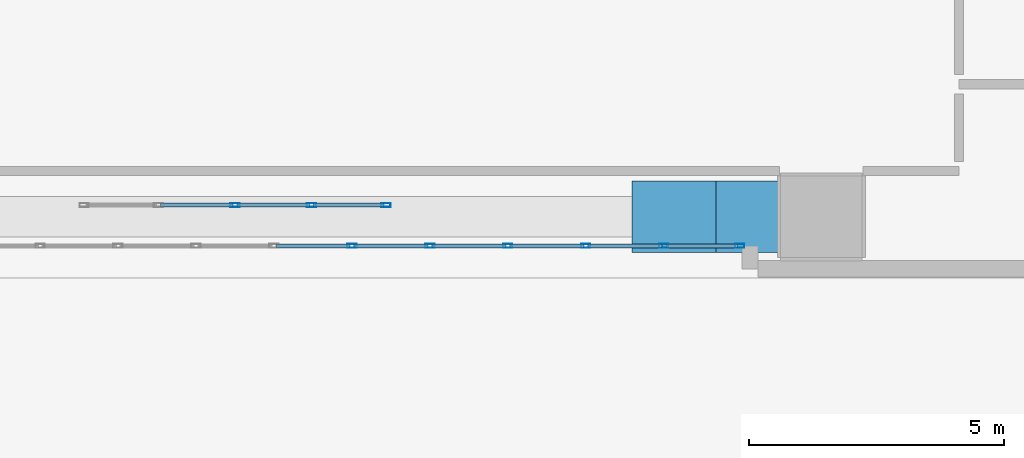
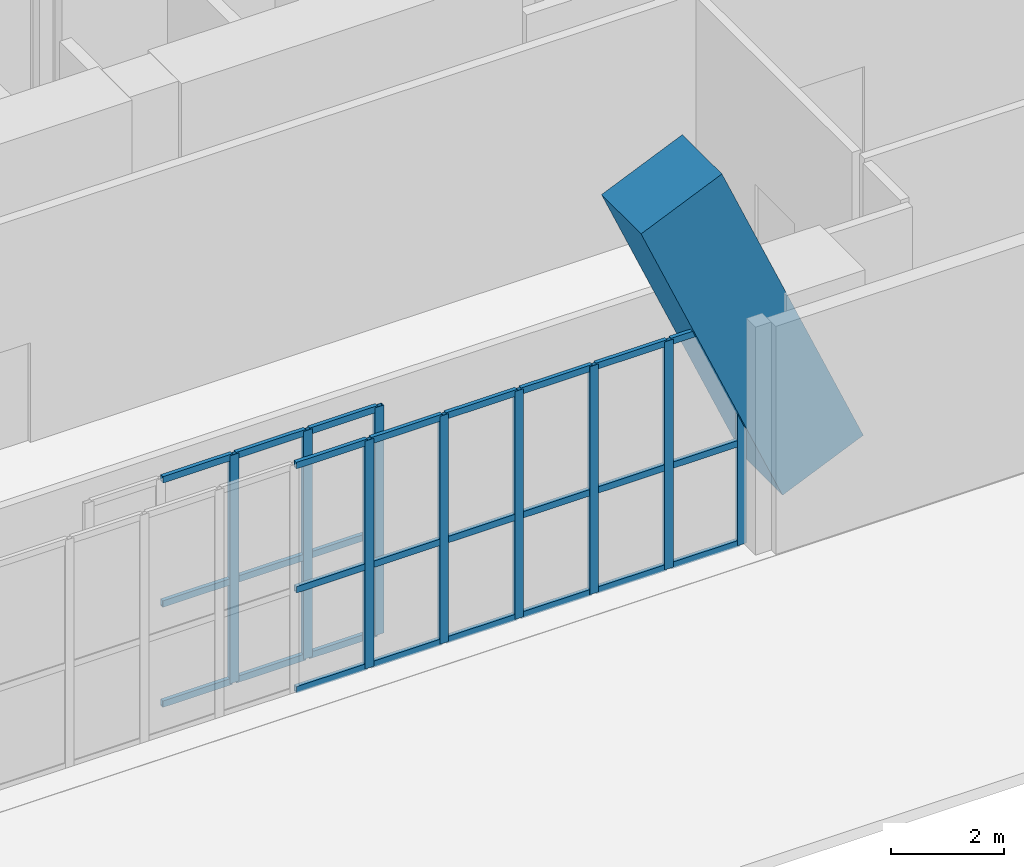
# One storey, part 6 of 30: 37 members, 2 elements without a shape of their own.
"""IFC4 building model written with IfcOpenShell, lengths in metres."""

from ifc_helpers import new_model, si_unit, direction, frame, origin, origin_2d, place, context, subcontext, project, spatial, rectangle, hollow_rectangle, extrude, material, layer, layer_set, material_profile, profile_set, type_object, element, aggregate, save


model = new_model("IFC4")

# Units and contexts
model_context = context("Model", 3, precision=1e-05, world=origin(), true_north=direction((0.0, 1.0)))
body_context = subcontext(model_context, "Body", "Model", "MODEL_VIEW")
ifc_project = project(units=[si_unit("LENGTHUNIT", "METRE"), si_unit("AREAUNIT", "SQUARE_METRE"), si_unit("VOLUMEUNIT", "CUBIC_METRE"), si_unit("PLANEANGLEUNIT", "RADIAN"), si_unit("MASSUNIT", "GRAM", prefix="KILO")], contexts=[model_context])

# Site, building, storey
site_placement = place(None, origin())
site = spatial("IfcSite", under=ifc_project, at=site_placement, CompositionType="ELEMENT")
building_placement = place(site_placement, origin())
building = spatial("IfcBuilding", under=site, at=building_placement, Name="Solanera Arch Residences", CompositionType="ELEMENT")
storey_placement = place(building_placement, origin())
storey = spatial("IfcBuildingStorey", under=building, at=storey_placement, Name="L00", CompositionType="ELEMENT", Elevation=0.0)

# Curtain wall, members
ifc_material_1 = material(Name="Anodised Aluminium Alloy 6063-T6", Category="aluminium")
ifc_layer = layer(ifc_material_1, 0.179931640625)
ifc_layer_set = layer_set([ifc_layer], Name="Anodised Aluminium Alloy 6063-T6")
curtain_wall_type = type_object("IfcCurtainWallType", Name="CW-1 Arch Portal Unitised Glazing", PredefinedType="USERDEFINED", material=ifc_layer_set)
curtain_wall_1_placement = place(storey_placement, origin())
curtain_wall_1 = element("IfcCurtainWall", 1, at=curtain_wall_1_placement, inside=storey, type_object=curtain_wall_type, Name="L00 Arch Portal Unitised Curtain Wall", ObjectType="CURTAIN_WALL", PredefinedType="USERDEFINED")
ifc_material_2 = material(Name="Anodised Aluminium Alloy 6063-T6", Category="aluminium")
ifc_material_profile_1 = material_profile(ifc_material_2, hollow_rectangle(XDim=0.080078125, YDim=0.179931640625, WallThickness=0.00390625, at=origin_2d()))
ifc_profile_set_1 = profile_set([ifc_material_profile_1], Name="Anodised Aluminium Alloy 6063-T6")
member_type_1 = type_object("IfcMemberType", Name="Curtain Wall Mullion ALU-MUL-80X180", PredefinedType="MULLION", material=ifc_profile_set_1)
member_1_placement = place(storey_placement, frame((34.89990234375, 10.6298828125, 0.0), z_axis=(0.0, 0.0, 1.0), x_axis=(0.0, -1.0, 0.0)))
member_1 = element("IfcMember", 2, at=member_1_placement, type_object=member_type_1, Name="CW-1 mullion 1", PredefinedType="MULLION", context=body_context, shape_type="SweptSolid", body=[
    extrude(hollow_rectangle(XDim=0.080078125, YDim=0.179931640625, WallThickness=0.00390625, at=origin_2d()), origin(), (0.0, 0.0, 1.0), 4.919921875),
])
member_2_placement = place(storey_placement, frame((33.410888671875, 10.6298828125, 0.0), z_axis=(0.0, 0.0, 1.0), x_axis=(0.0, -1.0, 0.0)))
member_2 = element("IfcMember", 3, at=member_2_placement, type_object=member_type_1, Name="CW-1 mullion 2", PredefinedType="MULLION", context=body_context, shape_type="SweptSolid", body=[
    extrude(hollow_rectangle(XDim=0.080078125, YDim=0.179931640625, WallThickness=0.00390625, at=origin_2d()), origin(), (0.0, 0.0, 1.0), 4.919921875),
])
member_3_placement = place(storey_placement, frame((31.881591796875, 10.6298828125, 0.0), z_axis=(0.0, 0.0, 1.0), x_axis=(0.0, -1.0, 0.0)))
member_3 = element("IfcMember", 4, at=member_3_placement, type_object=member_type_1, Name="CW-1 mullion 3", PredefinedType="MULLION", context=body_context, shape_type="SweptSolid", body=[
    extrude(hollow_rectangle(XDim=0.080078125, YDim=0.179931640625, WallThickness=0.00390625, at=origin_2d()), origin(), (0.0, 0.0, 1.0), 4.919921875),
])
member_4_placement = place(storey_placement, frame((30.352294921875, 10.6298828125, 0.0), z_axis=(0.0, 0.0, 1.0), x_axis=(0.0, -1.0, 0.0)))
member_4 = element("IfcMember", 5, at=member_4_placement, type_object=member_type_1, Name="CW-1 mullion 4", PredefinedType="MULLION", context=body_context, shape_type="SweptSolid", body=[
    extrude(hollow_rectangle(XDim=0.080078125, YDim=0.179931640625, WallThickness=0.00390625, at=origin_2d()), origin(), (0.0, 0.0, 1.0), 4.919921875),
])
member_5_placement = place(storey_placement, frame((28.822998046875, 10.6298828125, 0.0), z_axis=(0.0, 0.0, 1.0), x_axis=(0.0, -1.0, 0.0)))
member_5 = element("IfcMember", 6, at=member_5_placement, type_object=member_type_1, Name="CW-1 mullion 5", PredefinedType="MULLION", context=body_context, shape_type="SweptSolid", body=[
    extrude(hollow_rectangle(XDim=0.080078125, YDim=0.179931640625, WallThickness=0.00390625, at=origin_2d()), origin(), (0.0, 0.0, 1.0), 4.919921875),
])
member_6_placement = place(storey_placement, frame((27.2939453125, 10.6298828125, 0.0), z_axis=(0.0, 0.0, 1.0), x_axis=(0.0, -1.0, 0.0)))
member_6 = element("IfcMember", 7, at=member_6_placement, type_object=member_type_1, Name="CW-1 mullion 6", PredefinedType="MULLION", context=body_context, shape_type="SweptSolid", body=[
    extrude(hollow_rectangle(XDim=0.080078125, YDim=0.179931640625, WallThickness=0.00390625, at=origin_2d()), origin(), (0.0, 0.0, 1.0), 4.919921875),
])

curtain_wall_2_placement = place(storey_placement, origin())
curtain_wall_2 = element("IfcCurtainWall", 8, at=curtain_wall_2_placement, inside=storey, type_object=curtain_wall_type, Name="L00 Arch Vestibule Windscreen Curtain Wall", ObjectType="CURTAIN_WALL", PredefinedType="USERDEFINED")
member_7_placement = place(storey_placement, frame((27.9599609375, 11.429931640625, 0.0), z_axis=(0.0, 0.0, 1.0), x_axis=(0.0, -1.0, 0.0)))
member_7 = element("IfcMember", 9, at=member_7_placement, type_object=member_type_1, Name="CW-1 mullion 1", PredefinedType="MULLION", context=body_context, shape_type="SweptSolid", body=[
    extrude(hollow_rectangle(XDim=0.080078125, YDim=0.179931640625, WallThickness=0.00390625, at=origin_2d()), origin(), (0.0, 0.0, 1.0), 4.919921875),
])
member_8_placement = place(storey_placement, frame((26.5, 11.429931640625, 0.0), z_axis=(0.0, 0.0, 1.0), x_axis=(0.0, -1.0, 0.0)))
member_8 = element("IfcMember", 10, at=member_8_placement, type_object=member_type_1, Name="CW-1 mullion 2", PredefinedType="MULLION", context=body_context, shape_type="SweptSolid", body=[
    extrude(hollow_rectangle(XDim=0.080078125, YDim=0.179931640625, WallThickness=0.00390625, at=origin_2d()), origin(), (0.0, 0.0, 1.0), 4.919921875),
])
member_9_placement = place(storey_placement, frame((25.0, 11.429931640625, 0.0), z_axis=(0.0, 0.0, 1.0), x_axis=(0.0, -1.0, 0.0)))
member_9 = element("IfcMember", 11, at=member_9_placement, type_object=member_type_1, Name="CW-1 mullion 3", PredefinedType="MULLION", context=body_context, shape_type="SweptSolid", body=[
    extrude(hollow_rectangle(XDim=0.080078125, YDim=0.179931640625, WallThickness=0.00390625, at=origin_2d()), origin(), (0.0, 0.0, 1.0), 4.919921875),
])

# Member
ifc_material_3 = material(Name="Anodised Aluminium Alloy 6063-T6", Category="aluminium")
ifc_material_profile_2 = material_profile(ifc_material_3, hollow_rectangle(XDim=0.080078125, YDim=0.139892578125, WallThickness=0.00390625, at=origin_2d()))
ifc_profile_set_2 = profile_set([ifc_material_profile_2], Name="Anodised Aluminium Alloy 6063-T6")
member_type_2 = type_object("IfcMemberType", Name="Curtain Wall Transom ALU-TRN-80X140", PredefinedType="USERDEFINED", material=ifc_profile_set_2)
member_10_placement = place(storey_placement, frame((34.860107421875, 10.6298828125, 0.0400390625), z_axis=(-1.0, 0.0, 0.0), x_axis=(0.0, -1.0, 0.0)))
member_10 = element("IfcMember", 12, at=member_10_placement, type_object=member_type_2, Name="CW-1 transom 1.1", ObjectType="TRANSOM", PredefinedType="USERDEFINED", context=body_context, shape_type="SweptSolid", body=[
    extrude(hollow_rectangle(XDim=0.080078125, YDim=0.139892578125, WallThickness=0.00390625, at=origin_2d()), origin(), (0.0, 0.0, 1.0), 1.409423828125),
])

member_11_placement = place(storey_placement, frame((34.860107421875, 10.6298828125, 2.199951171875), z_axis=(-1.0, 0.0, 0.0), x_axis=(0.0, -1.0, 0.0)))
member_11 = element("IfcMember", 13, at=member_11_placement, type_object=member_type_2, Name="CW-1 transom 1.2", ObjectType="TRANSOM", PredefinedType="USERDEFINED", context=body_context, shape_type="SweptSolid", body=[
    extrude(hollow_rectangle(XDim=0.080078125, YDim=0.139892578125, WallThickness=0.00390625, at=origin_2d()), origin(), (0.0, 0.0, 1.0), 1.409423828125),
])

member_12_placement = place(storey_placement, frame((34.860107421875, 10.6298828125, 4.8798828125), z_axis=(-1.0, 0.0, 0.0), x_axis=(0.0, -1.0, 0.0)))
member_12 = element("IfcMember", 14, at=member_12_placement, type_object=member_type_2, Name="CW-1 transom 1.3", ObjectType="TRANSOM", PredefinedType="USERDEFINED", context=body_context, shape_type="SweptSolid", body=[
    extrude(hollow_rectangle(XDim=0.080078125, YDim=0.139892578125, WallThickness=0.00390625, at=origin_2d()), origin(), (0.0, 0.0, 1.0), 1.409423828125),
])

member_13_placement = place(storey_placement, frame((33.370849609375, 10.6298828125, 0.0400390625), z_axis=(-1.0, 0.0, 0.0), x_axis=(0.0, -1.0, 0.0)))
member_13 = element("IfcMember", 15, at=member_13_placement, type_object=member_type_2, Name="CW-1 transom 2.1", ObjectType="TRANSOM", PredefinedType="USERDEFINED", context=body_context, shape_type="SweptSolid", body=[
    extrude(hollow_rectangle(XDim=0.080078125, YDim=0.139892578125, WallThickness=0.00390625, at=origin_2d()), origin(), (0.0, 0.0, 1.0), 1.44921875),
])

member_14_placement = place(storey_placement, frame((33.370849609375, 10.6298828125, 2.199951171875), z_axis=(-1.0, 0.0, 0.0), x_axis=(0.0, -1.0, 0.0)))
member_14 = element("IfcMember", 16, at=member_14_placement, type_object=member_type_2, Name="CW-1 transom 2.2", ObjectType="TRANSOM", PredefinedType="USERDEFINED", context=body_context, shape_type="SweptSolid", body=[
    extrude(hollow_rectangle(XDim=0.080078125, YDim=0.139892578125, WallThickness=0.00390625, at=origin_2d()), origin(), (0.0, 0.0, 1.0), 1.44921875),
])

member_15_placement = place(storey_placement, frame((33.370849609375, 10.6298828125, 4.8798828125), z_axis=(-1.0, 0.0, 0.0), x_axis=(0.0, -1.0, 0.0)))
member_15 = element("IfcMember", 17, at=member_15_placement, type_object=member_type_2, Name="CW-1 transom 2.3", ObjectType="TRANSOM", PredefinedType="USERDEFINED", context=body_context, shape_type="SweptSolid", body=[
    extrude(hollow_rectangle(XDim=0.080078125, YDim=0.139892578125, WallThickness=0.00390625, at=origin_2d()), origin(), (0.0, 0.0, 1.0), 1.44921875),
])

member_16_placement = place(storey_placement, frame((31.841552734375, 10.6298828125, 0.0400390625), z_axis=(-1.0, 0.0, 0.0), x_axis=(0.0, -1.0, 0.0)))
member_16 = element("IfcMember", 18, at=member_16_placement, type_object=member_type_2, Name="CW-1 transom 3.1", ObjectType="TRANSOM", PredefinedType="USERDEFINED", context=body_context, shape_type="SweptSolid", body=[
    extrude(hollow_rectangle(XDim=0.080078125, YDim=0.139892578125, WallThickness=0.00390625, at=origin_2d()), origin(), (0.0, 0.0, 1.0), 1.44921875),
])

member_17_placement = place(storey_placement, frame((31.841552734375, 10.6298828125, 2.199951171875), z_axis=(-1.0, 0.0, 0.0), x_axis=(0.0, -1.0, 0.0)))
member_17 = element("IfcMember", 19, at=member_17_placement, type_object=member_type_2, Name="CW-1 transom 3.2", ObjectType="TRANSOM", PredefinedType="USERDEFINED", context=body_context, shape_type="SweptSolid", body=[
    extrude(hollow_rectangle(XDim=0.080078125, YDim=0.139892578125, WallThickness=0.00390625, at=origin_2d()), origin(), (0.0, 0.0, 1.0), 1.44921875),
])

member_18_placement = place(storey_placement, frame((31.841552734375, 10.6298828125, 4.8798828125), z_axis=(-1.0, 0.0, 0.0), x_axis=(0.0, -1.0, 0.0)))
member_18 = element("IfcMember", 20, at=member_18_placement, type_object=member_type_2, Name="CW-1 transom 3.3", ObjectType="TRANSOM", PredefinedType="USERDEFINED", context=body_context, shape_type="SweptSolid", body=[
    extrude(hollow_rectangle(XDim=0.080078125, YDim=0.139892578125, WallThickness=0.00390625, at=origin_2d()), origin(), (0.0, 0.0, 1.0), 1.44921875),
])

member_19_placement = place(storey_placement, frame((30.312255859375, 10.6298828125, 0.0400390625), z_axis=(-1.0, 0.0, 0.0), x_axis=(0.0, -1.0, 0.0)))
member_19 = element("IfcMember", 21, at=member_19_placement, type_object=member_type_2, Name="CW-1 transom 4.1", ObjectType="TRANSOM", PredefinedType="USERDEFINED", context=body_context, shape_type="SweptSolid", body=[
    extrude(hollow_rectangle(XDim=0.080078125, YDim=0.139892578125, WallThickness=0.00390625, at=origin_2d()), origin(), (0.0, 0.0, 1.0), 1.44921875),
])

member_20_placement = place(storey_placement, frame((30.312255859375, 10.6298828125, 2.199951171875), z_axis=(-1.0, 0.0, 0.0), x_axis=(0.0, -1.0, 0.0)))
member_20 = element("IfcMember", 22, at=member_20_placement, type_object=member_type_2, Name="CW-1 transom 4.2", ObjectType="TRANSOM", PredefinedType="USERDEFINED", context=body_context, shape_type="SweptSolid", body=[
    extrude(hollow_rectangle(XDim=0.080078125, YDim=0.139892578125, WallThickness=0.00390625, at=origin_2d()), origin(), (0.0, 0.0, 1.0), 1.44921875),
])

member_21_placement = place(storey_placement, frame((30.312255859375, 10.6298828125, 4.8798828125), z_axis=(-1.0, 0.0, 0.0), x_axis=(0.0, -1.0, 0.0)))
member_21 = element("IfcMember", 23, at=member_21_placement, type_object=member_type_2, Name="CW-1 transom 4.3", ObjectType="TRANSOM", PredefinedType="USERDEFINED", context=body_context, shape_type="SweptSolid", body=[
    extrude(hollow_rectangle(XDim=0.080078125, YDim=0.139892578125, WallThickness=0.00390625, at=origin_2d()), origin(), (0.0, 0.0, 1.0), 1.44921875),
])

member_22_placement = place(storey_placement, frame((28.782958984375, 10.6298828125, 0.0400390625), z_axis=(-1.0, 0.0, 0.0), x_axis=(0.0, -1.0, 0.0)))
member_22 = element("IfcMember", 24, at=member_22_placement, type_object=member_type_2, Name="CW-1 transom 5.1", ObjectType="TRANSOM", PredefinedType="USERDEFINED", context=body_context, shape_type="SweptSolid", body=[
    extrude(hollow_rectangle(XDim=0.080078125, YDim=0.139892578125, WallThickness=0.00390625, at=origin_2d()), origin(), (0.0, 0.0, 1.0), 1.44921875),
])

member_23_placement = place(storey_placement, frame((28.782958984375, 10.6298828125, 2.199951171875), z_axis=(-1.0, 0.0, 0.0), x_axis=(0.0, -1.0, 0.0)))
member_23 = element("IfcMember", 25, at=member_23_placement, type_object=member_type_2, Name="CW-1 transom 5.2", ObjectType="TRANSOM", PredefinedType="USERDEFINED", context=body_context, shape_type="SweptSolid", body=[
    extrude(hollow_rectangle(XDim=0.080078125, YDim=0.139892578125, WallThickness=0.00390625, at=origin_2d()), origin(), (0.0, 0.0, 1.0), 1.44921875),
])

member_24_placement = place(storey_placement, frame((28.782958984375, 10.6298828125, 4.8798828125), z_axis=(-1.0, 0.0, 0.0), x_axis=(0.0, -1.0, 0.0)))
member_24 = element("IfcMember", 26, at=member_24_placement, type_object=member_type_2, Name="CW-1 transom 5.3", ObjectType="TRANSOM", PredefinedType="USERDEFINED", context=body_context, shape_type="SweptSolid", body=[
    extrude(hollow_rectangle(XDim=0.080078125, YDim=0.139892578125, WallThickness=0.00390625, at=origin_2d()), origin(), (0.0, 0.0, 1.0), 1.44921875),
])

member_25_placement = place(storey_placement, frame((27.25390625, 10.6298828125, 0.0400390625), z_axis=(-1.0, 0.0, 0.0), x_axis=(0.0, -1.0, 0.0)))
member_25 = element("IfcMember", 27, at=member_25_placement, type_object=member_type_2, Name="CW-1 transom 6.1", ObjectType="TRANSOM", PredefinedType="USERDEFINED", context=body_context, shape_type="SweptSolid", body=[
    extrude(hollow_rectangle(XDim=0.080078125, YDim=0.139892578125, WallThickness=0.00390625, at=origin_2d()), origin(), (0.0, 0.0, 1.0), 1.44921875),
])

member_26_placement = place(storey_placement, frame((27.25390625, 10.6298828125, 2.199951171875), z_axis=(-1.0, 0.0, 0.0), x_axis=(0.0, -1.0, 0.0)))
member_26 = element("IfcMember", 28, at=member_26_placement, type_object=member_type_2, Name="CW-1 transom 6.2", ObjectType="TRANSOM", PredefinedType="USERDEFINED", context=body_context, shape_type="SweptSolid", body=[
    extrude(hollow_rectangle(XDim=0.080078125, YDim=0.139892578125, WallThickness=0.00390625, at=origin_2d()), origin(), (0.0, 0.0, 1.0), 1.44921875),
])

member_27_placement = place(storey_placement, frame((27.25390625, 10.6298828125, 4.8798828125), z_axis=(-1.0, 0.0, 0.0), x_axis=(0.0, -1.0, 0.0)))
member_27 = element("IfcMember", 29, at=member_27_placement, type_object=member_type_2, Name="CW-1 transom 6.3", ObjectType="TRANSOM", PredefinedType="USERDEFINED", context=body_context, shape_type="SweptSolid", body=[
    extrude(hollow_rectangle(XDim=0.080078125, YDim=0.139892578125, WallThickness=0.00390625, at=origin_2d()), origin(), (0.0, 0.0, 1.0), 1.44921875),
])

aggregate(curtain_wall_1, [member_1, member_2, member_3, member_4, member_5, member_6, member_10, member_11, member_12, member_13, member_14, member_15, member_16, member_17, member_18, member_19, member_20, member_21, member_22, member_23, member_24, member_25, member_26, member_27])

member_28_placement = place(storey_placement, frame((27.919921875, 11.429931640625, 0.0400390625), z_axis=(-1.0, 0.0, 0.0), x_axis=(0.0, -1.0, 0.0)))
member_28 = element("IfcMember", 30, at=member_28_placement, type_object=member_type_2, Name="CW-1 transom 1.1", ObjectType="TRANSOM", PredefinedType="USERDEFINED", context=body_context, shape_type="SweptSolid", body=[
    extrude(hollow_rectangle(XDim=0.080078125, YDim=0.139892578125, WallThickness=0.00390625, at=origin_2d()), origin(), (0.0, 0.0, 1.0), 1.3798828125),
])

member_29_placement = place(storey_placement, frame((27.919921875, 11.429931640625, 2.199951171875), z_axis=(-1.0, 0.0, 0.0), x_axis=(0.0, -1.0, 0.0)))
member_29 = element("IfcMember", 31, at=member_29_placement, type_object=member_type_2, Name="CW-1 transom 1.2", ObjectType="TRANSOM", PredefinedType="USERDEFINED", context=body_context, shape_type="SweptSolid", body=[
    extrude(hollow_rectangle(XDim=0.080078125, YDim=0.139892578125, WallThickness=0.00390625, at=origin_2d()), origin(), (0.0, 0.0, 1.0), 1.3798828125),
])

member_30_placement = place(storey_placement, frame((27.919921875, 11.429931640625, 4.8798828125), z_axis=(-1.0, 0.0, 0.0), x_axis=(0.0, -1.0, 0.0)))
member_30 = element("IfcMember", 32, at=member_30_placement, type_object=member_type_2, Name="CW-1 transom 1.3", ObjectType="TRANSOM", PredefinedType="USERDEFINED", context=body_context, shape_type="SweptSolid", body=[
    extrude(hollow_rectangle(XDim=0.080078125, YDim=0.139892578125, WallThickness=0.00390625, at=origin_2d()), origin(), (0.0, 0.0, 1.0), 1.3798828125),
])

member_31_placement = place(storey_placement, frame((26.4599609375, 11.429931640625, 0.0400390625), z_axis=(-1.0, 0.0, 0.0), x_axis=(0.0, -1.0, 0.0)))
member_31 = element("IfcMember", 33, at=member_31_placement, type_object=member_type_2, Name="CW-1 transom 2.1", ObjectType="TRANSOM", PredefinedType="USERDEFINED", context=body_context, shape_type="SweptSolid", body=[
    extrude(hollow_rectangle(XDim=0.080078125, YDim=0.139892578125, WallThickness=0.00390625, at=origin_2d()), origin(), (0.0, 0.0, 1.0), 1.419921875),
])

member_32_placement = place(storey_placement, frame((26.4599609375, 11.429931640625, 2.199951171875), z_axis=(-1.0, 0.0, 0.0), x_axis=(0.0, -1.0, 0.0)))
member_32 = element("IfcMember", 34, at=member_32_placement, type_object=member_type_2, Name="CW-1 transom 2.2", ObjectType="TRANSOM", PredefinedType="USERDEFINED", context=body_context, shape_type="SweptSolid", body=[
    extrude(hollow_rectangle(XDim=0.080078125, YDim=0.139892578125, WallThickness=0.00390625, at=origin_2d()), origin(), (0.0, 0.0, 1.0), 1.419921875),
])

member_33_placement = place(storey_placement, frame((26.4599609375, 11.429931640625, 4.8798828125), z_axis=(-1.0, 0.0, 0.0), x_axis=(0.0, -1.0, 0.0)))
member_33 = element("IfcMember", 35, at=member_33_placement, type_object=member_type_2, Name="CW-1 transom 2.3", ObjectType="TRANSOM", PredefinedType="USERDEFINED", context=body_context, shape_type="SweptSolid", body=[
    extrude(hollow_rectangle(XDim=0.080078125, YDim=0.139892578125, WallThickness=0.00390625, at=origin_2d()), origin(), (0.0, 0.0, 1.0), 1.419921875),
])

member_34_placement = place(storey_placement, frame((24.9599609375, 11.429931640625, 0.0400390625), z_axis=(-1.0, 0.0, 0.0), x_axis=(0.0, -1.0, 0.0)))
member_34 = element("IfcMember", 36, at=member_34_placement, type_object=member_type_2, Name="CW-1 transom 3.1", ObjectType="TRANSOM", PredefinedType="USERDEFINED", context=body_context, shape_type="SweptSolid", body=[
    extrude(hollow_rectangle(XDim=0.080078125, YDim=0.139892578125, WallThickness=0.00390625, at=origin_2d()), origin(), (0.0, 0.0, 1.0), 1.419921875),
])

member_35_placement = place(storey_placement, frame((24.9599609375, 11.429931640625, 2.199951171875), z_axis=(-1.0, 0.0, 0.0), x_axis=(0.0, -1.0, 0.0)))
member_35 = element("IfcMember", 37, at=member_35_placement, type_object=member_type_2, Name="CW-1 transom 3.2", ObjectType="TRANSOM", PredefinedType="USERDEFINED", context=body_context, shape_type="SweptSolid", body=[
    extrude(hollow_rectangle(XDim=0.080078125, YDim=0.139892578125, WallThickness=0.00390625, at=origin_2d()), origin(), (0.0, 0.0, 1.0), 1.419921875),
])

member_36_placement = place(storey_placement, frame((24.9599609375, 11.429931640625, 4.8798828125), z_axis=(-1.0, 0.0, 0.0), x_axis=(0.0, -1.0, 0.0)))
member_36 = element("IfcMember", 38, at=member_36_placement, type_object=member_type_2, Name="CW-1 transom 3.3", ObjectType="TRANSOM", PredefinedType="USERDEFINED", context=body_context, shape_type="SweptSolid", body=[
    extrude(hollow_rectangle(XDim=0.080078125, YDim=0.139892578125, WallThickness=0.00390625, at=origin_2d()), origin(), (0.0, 0.0, 1.0), 1.419921875),
])

aggregate(curtain_wall_2, [member_7, member_8, member_9, member_28, member_29, member_30, member_31, member_32, member_33, member_34, member_35, member_36])

ifc_material_4 = material(Name="Concrete C55/67 (f'c = 60 MPa)", Category="concrete")
ifc_material_profile_3 = material_profile(ifc_material_4, rectangle(XDim=1.39990234375, YDim=1.800048828125, at=origin_2d()))
ifc_profile_set_3 = profile_set([ifc_material_profile_3], Name="Concrete C55/67 (f'c = 60 MPa)")
member_type_3 = type_object("IfcMemberType", Name="Truss Chord RC-ARCH-1400X1800", PredefinedType="CHORD", material=ifc_profile_set_3)
member_37_placement = place(storey_placement, frame((33.613037109375, 11.199951171875, 7.85009765625), z_axis=(0.398215024941, 0.0, -0.917292098468), x_axis=(0.0, 1.0, 0.0)))
element("IfcMember", 39, at=member_37_placement, inside=storey, type_object=member_type_3, Name="Monumental Podium Concrete Arch Rib 8", PredefinedType="CHORD", context=body_context, shape_type="SweptSolid", body=[
    extrude(rectangle(XDim=1.39990234375, YDim=1.800048828125, at=origin_2d()), origin(), (0.0, 0.0, 1.0), 7.249755859375),
])

save(model, "model.ifc")
